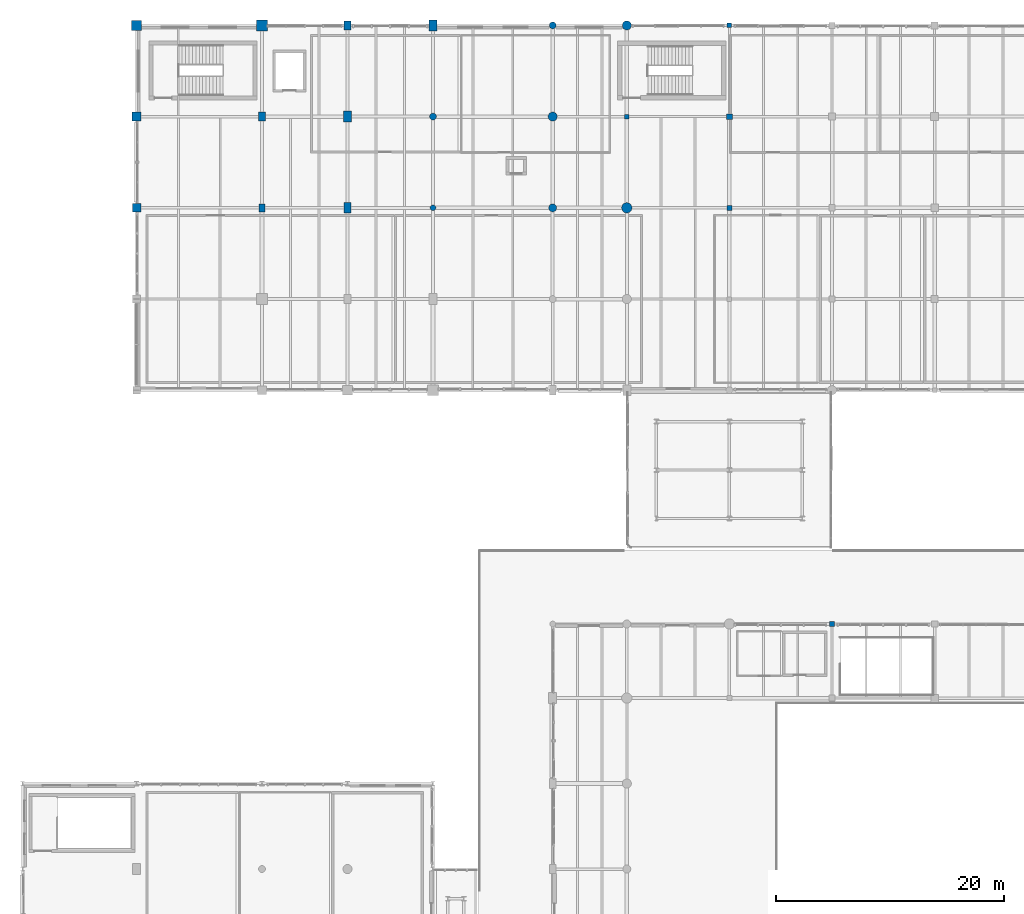
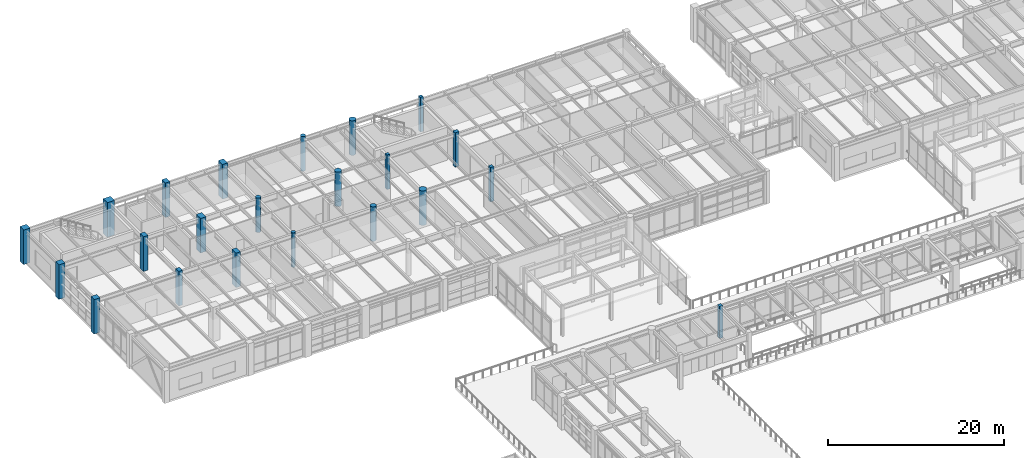
# One storey, part 7 of 200: 22 columns.
"""IFC4 building model written with IfcOpenShell, lengths in metres."""

from ifc_helpers import new_model, si_unit, direction, frame, origin, origin_2d, place, context, subcontext, project, spatial, rectangle, circle, extrude, material, material_profile, profile_set, type_object, element, save


model = new_model("IFC4")

# Units and contexts
model_context = context("Model", 3, precision=1e-05, world=origin(), true_north=direction((0.0, 1.0)))
body_context = subcontext(model_context, "Body", "Model", "MODEL_VIEW")
ifc_project = project(units=[si_unit("LENGTHUNIT", "METRE"), si_unit("AREAUNIT", "SQUARE_METRE"), si_unit("VOLUMEUNIT", "CUBIC_METRE"), si_unit("PLANEANGLEUNIT", "RADIAN"), si_unit("MASSUNIT", "GRAM", prefix="KILO"), si_unit("THERMODYNAMICTEMPERATUREUNIT", "KELVIN"), si_unit("POWERUNIT", "WATT")], contexts=[model_context])

# Site, building, storey
site_placement = place(None, origin())
site = spatial("IfcSite", under=ifc_project, at=site_placement, CompositionType="ELEMENT")
building_placement = place(site_placement, origin())
building = spatial("IfcBuilding", under=site, at=building_placement, Name="Tepalcoro Natatorium and Aquatics Centre", CompositionType="ELEMENT")
storey_placement = place(building_placement, frame((0.0, 0.0, 5.39990234375)))
storey = spatial("IfcBuildingStorey", under=building, at=storey_placement, Name="L01", CompositionType="ELEMENT", Elevation=5.39990234375)

# Columns
ifc_material = material(Name="Concrete C40/50 (fc 40 MPa)", Category="concrete")
ifc_material_profile_1 = material_profile(ifc_material, rectangle(XDim=0.39990234375, YDim=0.39990234375, at=origin_2d()), Name="RC400x400")
ifc_profile_set_1 = profile_set([ifc_material_profile_1], Name="Concrete C40/50 (fc 40 MPa)")
column_type_1 = type_object("IfcColumnType", Name="COL_RC_400x400", PredefinedType="COLUMN", material=ifc_profile_set_1)
for number, where, z_axis, x_axis, name in (
    (1, (53.0, 110.0, 0.0), (0.0, 0.0, 1.0), (1.0, 0.0, 0.0), "V4 L01 Grid Column (53.0, 110.0)"),
    (2, (62.0, 118.0, 0.0), (0.0, 0.0, 1.0), (1.0, 0.0, 0.0), "V4 L01 Grid Column (62.0, 118.0)"),
):
    element("IfcColumn", number, at=place(storey_placement, frame(where, z_axis=z_axis, x_axis=x_axis)), inside=storey, type_object=column_type_1, Name=name, PredefinedType="COLUMN", context=body_context, shape_type="SweptSolid", body=[
        extrude(rectangle(XDim=0.39990234375, YDim=0.39990234375, at=origin_2d()), origin(), (0.0, 0.0, 1.0), 4.800048828125),
    ])
ifc_material_profile_2 = material_profile(ifc_material, rectangle(XDim=0.449951171875, YDim=0.449951171875, at=origin_2d()), Name="RC450x450")
ifc_profile_set_2 = profile_set([ifc_material_profile_2], Name="Concrete C40/50 (fc 40 MPa)")
column_type_2 = type_object("IfcColumnType", Name="COL_RC_450x450", PredefinedType="COLUMN", material=ifc_profile_set_2)
column_1_placement = place(storey_placement, frame((71.0, 65.5, 0.0), z_axis=(0.0, 0.0, 1.0), x_axis=(1.0, 0.0, 0.0)))
element("IfcColumn", 3, at=column_1_placement, inside=storey, type_object=column_type_2, Name="V1 L01 Grid Column (71.0, 65.5)", PredefinedType="COLUMN", context=body_context, shape_type="SweptSolid", body=[
    extrude(rectangle(XDim=0.449951171875, YDim=0.449951171875, at=origin_2d()), origin(), (0.0, 0.0, 1.0), 4.47998046875),
])
column_2_placement = place(storey_placement, frame((62.0, 102.0, 0.0), z_axis=(0.0, 0.0, 1.0), x_axis=(1.0, 0.0, 0.0)))
element("IfcColumn", 4, at=column_2_placement, inside=storey, type_object=column_type_2, Name="V4 L01 Grid Column (62.0, 102.0)", PredefinedType="COLUMN", context=body_context, shape_type="SweptSolid", body=[
    extrude(rectangle(XDim=0.449951171875, YDim=0.449951171875, at=origin_2d()), origin(), (0.0, 0.0, 1.0), 4.800048828125),
])
ifc_material_profile_3 = material_profile(ifc_material, rectangle(XDim=0.5, YDim=0.5, at=origin_2d()), Name="RC500x500")
ifc_profile_set_3 = profile_set([ifc_material_profile_3], Name="Concrete C40/50 (fc 40 MPa)")
column_type_3 = type_object("IfcColumnType", Name="COL_RC_500x500", PredefinedType="COLUMN", material=ifc_profile_set_3)
column_3_placement = place(storey_placement, frame((62.0, 110.0, 0.0), z_axis=(0.0, 0.0, 1.0), x_axis=(1.0, 0.0, 0.0)))
element("IfcColumn", 5, at=column_3_placement, inside=storey, type_object=column_type_3, Name="V4 L01 Grid Column (62.0, 110.0)", PredefinedType="COLUMN", context=body_context, shape_type="SweptSolid", body=[
    extrude(rectangle(XDim=0.5, YDim=0.5, at=origin_2d()), origin(), (0.0, 0.0, 1.0), 4.800048828125),
])
ifc_material_profile_4 = material_profile(ifc_material, rectangle(XDim=0.5, YDim=0.699951171875, at=origin_2d()), Name="RC500x700")
ifc_profile_set_4 = profile_set([ifc_material_profile_4], Name="Concrete C40/50 (fc 40 MPa)")
column_type_4 = type_object("IfcColumnType", Name="COL_RC_500x700", PredefinedType="COLUMN", material=ifc_profile_set_4)
column_4_placement = place(storey_placement, frame((21.0, 102.0, 0.0), z_axis=(0.0, 0.0, 1.0), x_axis=(1.0, 0.0, 0.0)))
element("IfcColumn", 6, at=column_4_placement, inside=storey, type_object=column_type_4, Name="V4 L01 Grid Column (21.0, 102.0)", PredefinedType="COLUMN", context=body_context, shape_type="SweptSolid", body=[
    extrude(rectangle(XDim=0.5, YDim=0.699951171875, at=origin_2d()), origin(), (0.0, 0.0, 1.0), 4.800048828125),
])
ifc_material_profile_5 = material_profile(ifc_material, rectangle(XDim=0.60009765625, YDim=0.800048828125, at=origin_2d()), Name="RC600x800")
ifc_profile_set_5 = profile_set([ifc_material_profile_5], Name="Concrete C40/50 (fc 40 MPa)")
column_type_5 = type_object("IfcColumnType", Name="COL_RC_600x800", PredefinedType="COLUMN", material=ifc_profile_set_5)
for number, where, z_axis, x_axis, name in (
    (7, (21.0, 110.0, 0.0), (0.0, 0.0, 1.0), (1.0, 0.0, 0.0), "V4 L01 Grid Column (21.0, 110.0)"),
    (8, (28.5, 118.0, 0.0), (0.0, 0.0, 1.0), (1.0, 0.0, 0.0), "V4 L01 Grid Column (28.5, 118.0)"),
):
    element("IfcColumn", number, at=place(storey_placement, frame(where, z_axis=z_axis, x_axis=x_axis)), inside=storey, type_object=column_type_5, Name=name, PredefinedType="COLUMN", context=body_context, shape_type="SweptSolid", body=[
        extrude(rectangle(XDim=0.60009765625, YDim=0.800048828125, at=origin_2d()), origin(), (0.0, 0.0, 1.0), 4.800048828125),
    ])
ifc_material_profile_6 = material_profile(ifc_material, rectangle(XDim=0.60009765625, YDim=0.89990234375, at=origin_2d()), Name="RC600x900")
ifc_profile_set_6 = profile_set([ifc_material_profile_6], Name="Concrete C40/50 (fc 40 MPa)")
column_type_6 = type_object("IfcColumnType", Name="COL_RC_600x900", PredefinedType="COLUMN", material=ifc_profile_set_6)
column_5_placement = place(storey_placement, frame((28.5, 102.0, 0.0), z_axis=(0.0, 0.0, 1.0), x_axis=(1.0, 0.0, 0.0)))
element("IfcColumn", 9, at=column_5_placement, inside=storey, type_object=column_type_6, Name="V4 L01 Grid Column (28.5, 102.0)", PredefinedType="COLUMN", context=body_context, shape_type="SweptSolid", body=[
    extrude(rectangle(XDim=0.60009765625, YDim=0.89990234375, at=origin_2d()), origin(), (0.0, 0.0, 1.0), 4.800048828125),
])
ifc_material_profile_7 = material_profile(ifc_material, rectangle(XDim=0.699951171875, YDim=0.949951171875, at=origin_2d()), Name="RC700x950")
ifc_profile_set_7 = profile_set([ifc_material_profile_7], Name="Concrete C40/50 (fc 40 MPa)")
column_type_7 = type_object("IfcColumnType", Name="COL_RC_700x950", PredefinedType="COLUMN", material=ifc_profile_set_7)
for number, where, z_axis, x_axis, name in (
    (10, (28.5, 110.0, 0.0), (0.0, 0.0, 1.0), (1.0, 0.0, 0.0), "V4 L01 Grid Column (28.5, 110.0)"),
    (11, (36.0, 118.0, 0.0), (0.0, 0.0, 1.0), (1.0, 0.0, 0.0), "V4 L01 Grid Column (36.0, 118.0)"),
):
    element("IfcColumn", number, at=place(storey_placement, frame(where, z_axis=z_axis, x_axis=x_axis)), inside=storey, type_object=column_type_7, Name=name, PredefinedType="COLUMN", context=body_context, shape_type="SweptSolid", body=[
        extrude(rectangle(XDim=0.699951171875, YDim=0.949951171875, at=origin_2d()), origin(), (0.0, 0.0, 1.0), 4.800048828125),
    ])
ifc_material_profile_8 = material_profile(ifc_material, rectangle(XDim=0.75, YDim=0.75, at=origin_2d()), Name="RC750x750")
ifc_profile_set_8 = profile_set([ifc_material_profile_8], Name="Concrete C40/50 (fc 40 MPa)")
column_type_8 = type_object("IfcColumnType", Name="COL_RC_750x750", PredefinedType="COLUMN", material=ifc_profile_set_8)
column_6_placement = place(storey_placement, frame((10.0, 102.0, 0.0), z_axis=(0.0, 0.0, 1.0), x_axis=(1.0, 0.0, 0.0)))
element("IfcColumn", 12, at=column_6_placement, inside=storey, type_object=column_type_8, Name="V4 L01 Grid Column (10.0, 102.0)", PredefinedType="COLUMN", context=body_context, shape_type="SweptSolid", body=[
    extrude(rectangle(XDim=0.75, YDim=0.75, at=origin_2d()), origin(), (0.0, 0.0, 1.0), 4.800048828125),
])
ifc_material_profile_9 = material_profile(ifc_material, rectangle(XDim=0.800048828125, YDim=0.800048828125, at=origin_2d()), Name="RC800x800")
ifc_profile_set_9 = profile_set([ifc_material_profile_9], Name="Concrete C40/50 (fc 40 MPa)")
column_type_9 = type_object("IfcColumnType", Name="COL_RC_800x800", PredefinedType="COLUMN", material=ifc_profile_set_9)
column_7_placement = place(storey_placement, frame((10.0, 110.0, 0.0), z_axis=(0.0, 0.0, 1.0), x_axis=(1.0, 0.0, 0.0)))
element("IfcColumn", 13, at=column_7_placement, inside=storey, type_object=column_type_9, Name="V4 L01 Grid Column (10.0, 110.0)", PredefinedType="COLUMN", context=body_context, shape_type="SweptSolid", body=[
    extrude(rectangle(XDim=0.800048828125, YDim=0.800048828125, at=origin_2d()), origin(), (0.0, 0.0, 1.0), 4.800048828125),
])
ifc_material_profile_10 = material_profile(ifc_material, rectangle(XDim=0.85009765625, YDim=0.85009765625, at=origin_2d()), Name="RC850x850")
ifc_profile_set_10 = profile_set([ifc_material_profile_10], Name="Concrete C40/50 (fc 40 MPa)")
column_type_10 = type_object("IfcColumnType", Name="COL_RC_850x850", PredefinedType="COLUMN", material=ifc_profile_set_10)
column_8_placement = place(storey_placement, frame((10.0, 118.0, 0.0), z_axis=(0.0, 0.0, 1.0), x_axis=(1.0, 0.0, 0.0)))
element("IfcColumn", 14, at=column_8_placement, inside=storey, type_object=column_type_10, Name="V4 L01 Grid Column (10.0, 118.0)", PredefinedType="COLUMN", context=body_context, shape_type="SweptSolid", body=[
    extrude(rectangle(XDim=0.85009765625, YDim=0.85009765625, at=origin_2d()), origin(), (0.0, 0.0, 1.0), 4.800048828125),
])
ifc_material_profile_11 = material_profile(ifc_material, rectangle(XDim=0.949951171875, YDim=0.949951171875, at=origin_2d()), Name="RC950x950")
ifc_profile_set_11 = profile_set([ifc_material_profile_11], Name="Concrete C40/50 (fc 40 MPa)")
column_type_11 = type_object("IfcColumnType", Name="COL_RC_950x950", PredefinedType="COLUMN", material=ifc_profile_set_11)
column_9_placement = place(storey_placement, frame((21.0, 118.0, 0.0), z_axis=(0.0, 0.0, 1.0), x_axis=(1.0, 0.0, 0.0)))
element("IfcColumn", 15, at=column_9_placement, inside=storey, type_object=column_type_11, Name="V4 L01 Grid Column (21.0, 118.0)", PredefinedType="COLUMN", context=body_context, shape_type="SweptSolid", body=[
    extrude(rectangle(XDim=0.949951171875, YDim=0.949951171875, at=origin_2d()), origin(), (0.0, 0.0, 1.0), 4.800048828125),
])
ifc_material_profile_12 = material_profile(ifc_material, circle(Radius=0.25, at=origin_2d()), Name="RCD500")
ifc_profile_set_12 = profile_set([ifc_material_profile_12], Name="Concrete C40/50 (fc 40 MPa)")
column_type_12 = type_object("IfcColumnType", Name="COL_RC_D500", PredefinedType="COLUMN", material=ifc_profile_set_12)
column_10_placement = place(storey_placement, frame((36.0, 102.0, 0.0), z_axis=(0.0, 0.0, 1.0), x_axis=(1.0, 0.0, 0.0)))
element("IfcColumn", 16, at=column_10_placement, inside=storey, type_object=column_type_12, Name="V4 L01 Grid Column (36.0, 102.0)", PredefinedType="COLUMN", context=body_context, shape_type="SweptSolid", body=[
    extrude(circle(Radius=0.25, at=origin_2d()), origin(), (0.0, 0.0, 1.0), 4.800048828125),
])
ifc_material_profile_13 = material_profile(ifc_material, circle(Radius=0.300048828125, at=origin_2d()), Name="RCD600")
ifc_profile_set_13 = profile_set([ifc_material_profile_13], Name="Concrete C40/50 (fc 40 MPa)")
column_type_13 = type_object("IfcColumnType", Name="COL_RC_D600", PredefinedType="COLUMN", material=ifc_profile_set_13)
for number, where, z_axis, x_axis, name in (
    (17, (36.0, 110.0, 0.0), (0.0, 0.0, 1.0), (1.0, 0.0, 0.0), "V4 L01 Grid Column (36.0, 110.0)"),
    (18, (46.5, 118.0, 0.0), (0.0, 0.0, 1.0), (1.0, 0.0, 0.0), "V4 L01 Grid Column (46.5, 118.0)"),
):
    element("IfcColumn", number, at=place(storey_placement, frame(where, z_axis=z_axis, x_axis=x_axis)), inside=storey, type_object=column_type_13, Name=name, PredefinedType="COLUMN", context=body_context, shape_type="SweptSolid", body=[
        extrude(circle(Radius=0.300048828125, at=origin_2d()), origin(), (0.0, 0.0, 1.0), 4.800048828125),
    ])
ifc_material_profile_14 = material_profile(ifc_material, circle(Radius=0.35009765625, at=origin_2d()), Name="RCD700")
ifc_profile_set_14 = profile_set([ifc_material_profile_14], Name="Concrete C40/50 (fc 40 MPa)")
column_type_14 = type_object("IfcColumnType", Name="COL_RC_D700", PredefinedType="COLUMN", material=ifc_profile_set_14)
column_11_placement = place(storey_placement, frame((46.5, 102.0, 0.0), z_axis=(0.0, 0.0, 1.0), x_axis=(1.0, 0.0, 0.0)))
element("IfcColumn", 19, at=column_11_placement, inside=storey, type_object=column_type_14, Name="V4 L01 Grid Column (46.5, 102.0)", PredefinedType="COLUMN", context=body_context, shape_type="SweptSolid", body=[
    extrude(circle(Radius=0.35009765625, at=origin_2d()), origin(), (0.0, 0.0, 1.0), 4.800048828125),
])
ifc_material_profile_15 = material_profile(ifc_material, circle(Radius=0.39990234375, at=origin_2d()), Name="RCD800")
ifc_profile_set_15 = profile_set([ifc_material_profile_15], Name="Concrete C40/50 (fc 40 MPa)")
column_type_15 = type_object("IfcColumnType", Name="COL_RC_D800", PredefinedType="COLUMN", material=ifc_profile_set_15)
for number, where, z_axis, x_axis, name in (
    (20, (46.5, 110.0, 0.0), (0.0, 0.0, 1.0), (1.0, 0.0, 0.0), "V4 L01 Grid Column (46.5, 110.0)"),
    (21, (53.0, 118.0, 0.0), (0.0, 0.0, 1.0), (1.0, 0.0, 0.0), "V4 L01 Grid Column (53.0, 118.0)"),
):
    element("IfcColumn", number, at=place(storey_placement, frame(where, z_axis=z_axis, x_axis=x_axis)), inside=storey, type_object=column_type_15, Name=name, PredefinedType="COLUMN", context=body_context, shape_type="SweptSolid", body=[
        extrude(circle(Radius=0.39990234375, at=origin_2d()), origin(), (0.0, 0.0, 1.0), 4.800048828125),
    ])
ifc_material_profile_16 = material_profile(ifc_material, circle(Radius=0.449951171875, at=origin_2d()), Name="RCD900")
ifc_profile_set_16 = profile_set([ifc_material_profile_16], Name="Concrete C40/50 (fc 40 MPa)")
column_type_16 = type_object("IfcColumnType", Name="COL_RC_D900", PredefinedType="COLUMN", material=ifc_profile_set_16)
column_12_placement = place(storey_placement, frame((53.0, 102.0, 0.0), z_axis=(0.0, 0.0, 1.0), x_axis=(1.0, 0.0, 0.0)))
element("IfcColumn", 22, at=column_12_placement, inside=storey, type_object=column_type_16, Name="V4 L01 Grid Column (53.0, 102.0)", PredefinedType="COLUMN", context=body_context, shape_type="SweptSolid", body=[
    extrude(circle(Radius=0.449951171875, at=origin_2d()), origin(), (0.0, 0.0, 1.0), 4.800048828125),
])

save(model, "model.ifc")
